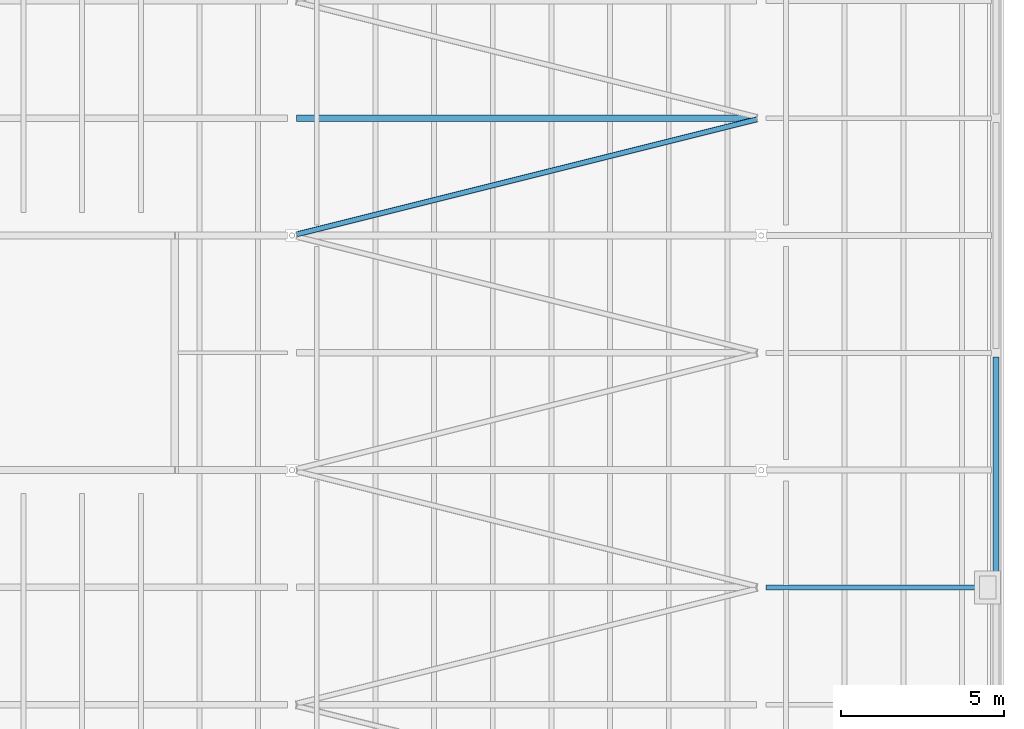
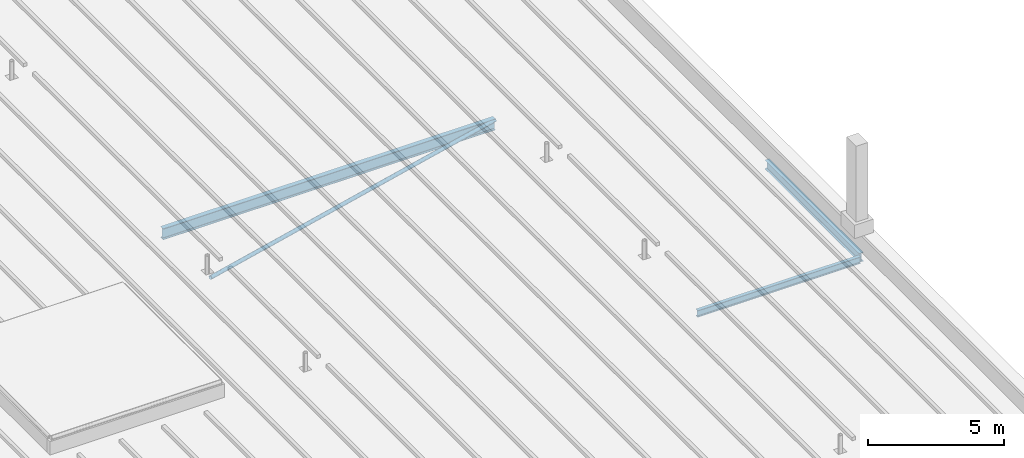
# One storey, part 52 of 120: 3 beams, 1 member.
"""IFC4 building model written with IfcOpenShell, lengths in metres."""

from ifc_helpers import new_model, si_unit, direction, frame, origin, origin_2d, place, context, subcontext, project, spatial, hollow_circle, i_section, extrude, material, material_profile, profile_set, type_object, element, save


model = new_model("IFC4")

# Units and contexts
model_context = context("Model", 3, precision=1e-05, world=origin(), true_north=direction((0.0, 1.0)))
body_context = subcontext(model_context, "Body", "Model", "MODEL_VIEW")
ifc_project = project(units=[si_unit("LENGTHUNIT", "METRE"), si_unit("AREAUNIT", "SQUARE_METRE"), si_unit("VOLUMEUNIT", "CUBIC_METRE"), si_unit("PLANEANGLEUNIT", "RADIAN"), si_unit("MASSUNIT", "GRAM", prefix="KILO")], contexts=[model_context])

# Site, building, storey
site_placement = place(None, origin())
site = spatial("IfcSite", under=ifc_project, at=site_placement, CompositionType="ELEMENT")
building_placement = place(site_placement, origin())
building = spatial("IfcBuilding", under=site, at=building_placement, Name="Kupolbacken Congress Centre", CompositionType="ELEMENT")
storey_placement = place(building_placement, frame((0.0, 0.0, 21.60009765625)))
storey = spatial("IfcBuildingStorey", under=building, at=storey_placement, Name="L06", CompositionType="ELEMENT", Elevation=21.60009765625)

# Beams
ifc_material_1 = material(Name="Steel S355", Category="steel")
ifc_material_profile_1 = material_profile(ifc_material_1, i_section(OverallWidth=0.14990234375, OverallDepth=0.300048828125, WebThickness=0.007080078125, FlangeThickness=0.0107421875, FilletRadius=0.014892578125, at=origin_2d()), Name="IPE 300")
ifc_profile_set_1 = profile_set([ifc_material_profile_1], Name="Steel S355")
beam_type_1 = type_object("IfcBeamType", Name="B04 beam IPE 300", PredefinedType="BEAM", material=ifc_profile_set_1)
beam_1_placement = place(storey_placement, frame((194.544921875, 72.0, -0.150146484375), z_axis=(1.0, 0.0, 0.0), x_axis=(0.0, 1.0, 0.0)))
element("IfcBeam", 1, at=beam_1_placement, inside=storey, type_object=beam_type_1, Name="HR/P08-08", PredefinedType="BEAM", context=body_context, shape_type="SweptSolid", body=[
    extrude(i_section(OverallWidth=0.14990234375, OverallDepth=0.300048828125, WebThickness=0.007080078125, FlangeThickness=0.0107421875, FilletRadius=0.014892578125, at=origin_2d()), origin(), (0.0, 0.0, 1.0), 6.9150390625),
])
ifc_material_2 = material(Name="Steel S355", Category="steel")
ifc_material_profile_2 = material_profile(ifc_material_2, i_section(OverallWidth=0.179931640625, OverallDepth=0.39990234375, WebThickness=0.008544921875, FlangeThickness=0.013427734375, FilletRadius=0.02099609375, at=origin_2d()), Name="IPE 400")
ifc_profile_set_2 = profile_set([ifc_material_profile_2], Name="Steel S355")
beam_type_2 = type_object("IfcBeamType", Name="B07 beam IPE 400", PredefinedType="BEAM", material=ifc_profile_set_2)
beam_2_placement = place(storey_placement, frame((201.60009765625, 72.1298828125, -0.2001953125), z_axis=(0.0, 1.0, 0.0), x_axis=(-1.0, 0.0, 0.0)))
element("IfcBeam", 2, at=beam_2_placement, inside=storey, type_object=beam_type_2, Name="HR/GE05", PredefinedType="BEAM", context=body_context, shape_type="SweptSolid", body=[
    extrude(i_section(OverallWidth=0.179931640625, OverallDepth=0.39990234375, WebThickness=0.008544921875, FlangeThickness=0.013427734375, FilletRadius=0.02099609375, at=origin_2d()), origin(), (0.0, 0.0, 1.0), 6.940185546875),
])
ifc_material_3 = material(Name="Steel S355", Category="steel")
ifc_material_profile_3 = material_profile(ifc_material_3, i_section(OverallWidth=0.199951171875, OverallDepth=0.5, WebThickness=0.01025390625, FlangeThickness=0.01611328125, FilletRadius=0.02099609375, at=origin_2d()), Name="IPE 500")
ifc_profile_set_3 = profile_set([ifc_material_profile_3], Name="Steel S355")
beam_type_3 = type_object("IfcBeamType", Name="B09 beam IPE 500", PredefinedType="BEAM", material=ifc_profile_set_3)
beam_3_placement = place(storey_placement, frame((180.14501953125, 86.39990234375, -0.25), z_axis=(1.0, 0.0, 0.0), x_axis=(0.0, 1.0, 0.0)))
element("IfcBeam", 3, at=beam_3_placement, inside=storey, type_object=beam_type_3, Name="HR/P12-07", PredefinedType="BEAM", context=body_context, shape_type="SweptSolid", body=[
    extrude(i_section(OverallWidth=0.199951171875, OverallDepth=0.5, WebThickness=0.01025390625, FlangeThickness=0.01611328125, FilletRadius=0.02099609375, at=origin_2d()), origin(), (0.0, 0.0, 1.0), 14.10986328125),
])

# Member
ifc_material_4 = material(Name="Steel S355", Category="steel")
ifc_material_profile_4 = material_profile(ifc_material_4, hollow_circle(Radius=0.084228515625, WallThickness=0.008056640625, at=origin_2d()), Name="CHS 168.3 x 8")
ifc_profile_set_4 = profile_set([ifc_material_profile_4], Name="Steel S355")
member_type = type_object("IfcMemberType", Name="M21 brace CHS 168.3 x 8", PredefinedType="BRACE", material=ifc_profile_set_4)
member_placement = place(storey_placement, frame((180.140625, 82.835205078125, -0.084228515625), z_axis=(0.970144473737, 0.242527730535, 0.0), x_axis=(-0.242527730535, 0.970144473737, 0.0)))
element("IfcMember", 4, at=member_placement, inside=storey, type_object=member_type, Name="HR/RB/07-11", PredefinedType="BRACE", context=body_context, shape_type="SweptSolid", body=[
    extrude(hollow_circle(Radius=0.084228515625, WallThickness=0.008056640625, at=origin_2d()), origin(), (0.0, 0.0, 1.0), 14.55322265625),
])

save(model, "model.ifc")
